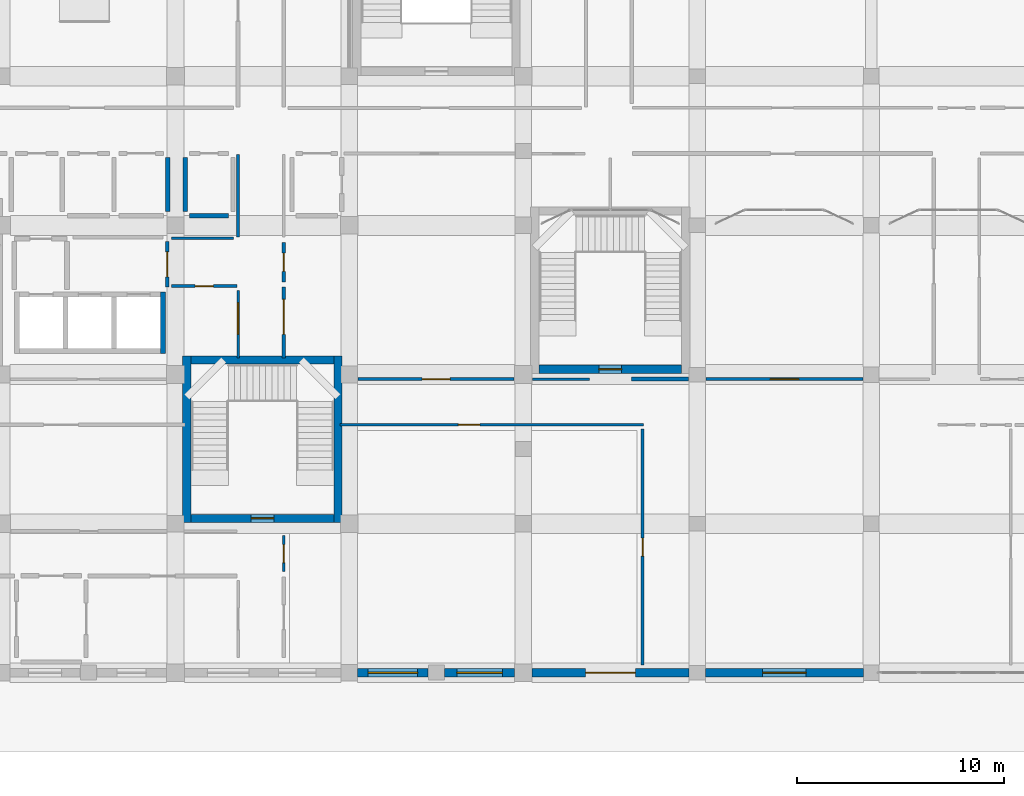
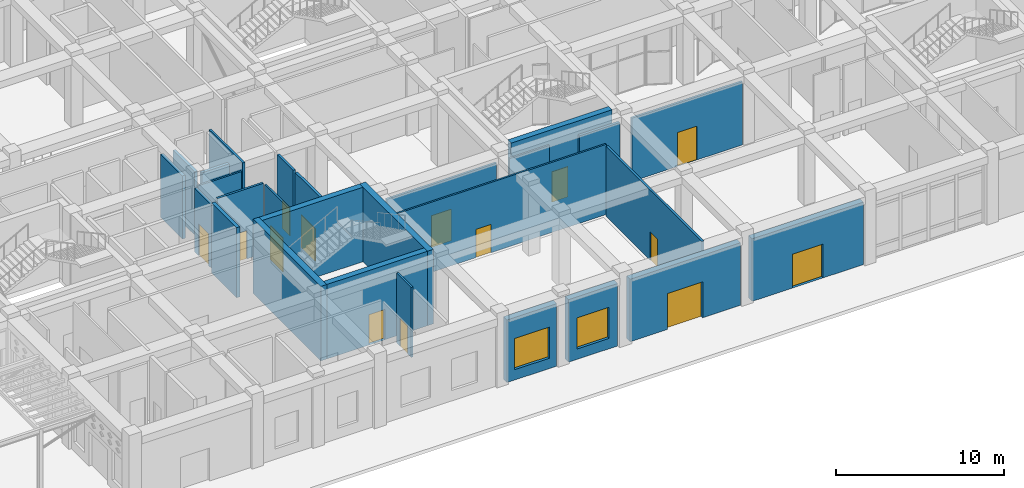
# One storey, part 62 of 84: 27 walls, 14 doors, 2 windows, 16 openings.
"""IFC4 building model written with IfcOpenShell, lengths in metres."""

from ifc_helpers import new_model, si_unit, derived_unit, direction, frame, frame_2d, origin, place, context, subcontext, project, spatial, rectangle, extrude, material, layer, layer_set, type_object, element, fill, save


model = new_model("IFC4")

# Units and contexts
model_context = context("Model", 3, precision=1e-05, world=origin(), true_north=direction((0.0, 1.0)))
body_context = subcontext(model_context, "Body", "Model", "MODEL_VIEW")
ifc_project = project(units=[si_unit("LENGTHUNIT", "METRE"), si_unit("AREAUNIT", "SQUARE_METRE"), si_unit("VOLUMEUNIT", "CUBIC_METRE"), si_unit("PLANEANGLEUNIT", "RADIAN"), si_unit("MASSUNIT", "GRAM", prefix="KILO"), derived_unit("THERMALTRANSMITTANCEUNIT", [(si_unit("POWERUNIT", "WATT"), 1), (si_unit("LENGTHUNIT", "METRE"), -2), (si_unit("THERMODYNAMICTEMPERATUREUNIT", "KELVIN"), -1)])], contexts=[model_context])

# Site, building, storey
site_placement = place(None, origin())
site = spatial("IfcSite", under=ifc_project, at=site_placement, CompositionType="ELEMENT")
building_placement = place(site_placement, origin())
building = spatial("IfcBuilding", under=site, at=building_placement, Name="Veybourne Emporium", CompositionType="ELEMENT")
storey_placement = place(building_placement, origin())
storey = spatial("IfcBuildingStorey", under=building, at=storey_placement, Name="L00", CompositionType="ELEMENT", Elevation=0.0)

# Wall, opening, window
ifc_material_1 = material(Name="Honed Black Granite Plinth", Category="masonry")
ifc_layer_1 = layer(ifc_material_1, 0.419921875)
ifc_layer_set_1 = layer_set([ifc_layer_1], Name="Honed Black Granite Plinth")
wall_type_1 = type_object("IfcWallType", Name="ExtWall_EW-02", PredefinedType="SOLIDWALL", material=ifc_layer_set_1)
wall_1_placement = place(storey_placement, frame((49.97509765625, 0.0, 0.0), z_axis=(0.0, 0.0, 1.0), x_axis=(-1.0, 0.0, 0.0)))
wall_1 = element("IfcWall", 1, at=wall_1_placement, inside=storey, type_object=wall_type_1, Name="L00 Portland stone external wall 026A", PredefinedType="SOLIDWALL", context=body_context, shape_type="SweptSolid", body=[
    extrude(rectangle(XDim=3.375, YDim=0.419921875, at=frame_2d((1.6875, 0.0))), origin(), (0.0, 0.0, 1.0), 4.530029296875),
])
opening_1_placement = place(wall_1_placement, frame((0.58740234375, 0.0, 0.75)))
opening_1 = element("IfcOpeningElement", 2, at=opening_1_placement, cuts=wall_1, Name="Opening W-22", PredefinedType="OPENING", context=body_context, shape_type="SweptSolid", body=[
    extrude(rectangle(XDim=2.199951171875, YDim=2.260009765625, at=frame_2d((1.10009765625, 1.1298828125))), frame((0.0, 0.22998046875, 0.0), z_axis=(0.0, -1.0, 0.0), x_axis=(1.0, 0.0, 0.0)), (0.0, 0.0, 1.0), 0.4599609375),
])
ifc_material_2 = material(Name="Low-E Triple Glazing", Category="glass")
window_type_1 = type_object("IfcWindowType", Name="Win_W-22", PartitioningType="TRIPLE_PANEL_VERTICAL", PredefinedType="WINDOW", material=ifc_material_2)
window_1_placement = place(opening_1_placement, origin())
window_1 = element("IfcWindow", 3, at=window_1_placement, inside=storey, type_object=window_type_1, Name="L00 tripartite bronze casement window W-22 (26A)", OverallHeight=2.260009765625, OverallWidth=2.199951171875, PartitioningType="TRIPLE_PANEL_VERTICAL", PredefinedType="WINDOW", context=body_context, shape_type="SweptSolid", body=[
    extrude(rectangle(XDim=2.199951171875, YDim=2.260009765625, at=frame_2d((1.10009765625, 1.1298828125))), frame((0.0, 0.030029296875, 0.0), z_axis=(0.0, -1.0, 0.0), x_axis=(1.0, 0.0, 0.0)), (0.0, 0.0, 1.0), 0.06005859375),
])
fill(opening_1, window_1)

wall_2_placement = place(storey_placement, frame((45.800048828125, 0.0, 0.0), z_axis=(0.0, 0.0, 1.0), x_axis=(-1.0, 0.0, 0.0)))
wall_2 = element("IfcWall", 4, at=wall_2_placement, inside=storey, type_object=wall_type_1, Name="L00 Portland stone external wall 026B", PredefinedType="SOLIDWALL", context=body_context, shape_type="SweptSolid", body=[
    extrude(rectangle(XDim=3.400146484375, YDim=0.419921875, at=frame_2d((1.7001953125, 0.0))), origin(), (0.0, 0.0, 1.0), 4.530029296875),
])
opening_2_placement = place(wall_2_placement, frame((0.5, 0.0, 0.75)))
opening_2 = element("IfcOpeningElement", 5, at=opening_2_placement, cuts=wall_2, Name="Opening W-23", PredefinedType="OPENING", context=body_context, shape_type="SweptSolid", body=[
    extrude(rectangle(XDim=2.39990234375, YDim=2.260009765625, at=frame_2d((1.199951171875, 1.1298828125))), frame((0.0, 0.22998046875, 0.0), z_axis=(0.0, -1.0, 0.0), x_axis=(1.0, 0.0, 0.0)), (0.0, 0.0, 1.0), 0.4599609375),
])
window_type_2 = type_object("IfcWindowType", Name="Win_W-23", PartitioningType="TRIPLE_PANEL_VERTICAL", PredefinedType="WINDOW", material=ifc_material_2)
window_2_placement = place(opening_2_placement, origin())
window_2 = element("IfcWindow", 6, at=window_2_placement, inside=storey, type_object=window_type_2, Name="L00 tripartite bronze casement window W-23 (26B)", OverallHeight=2.260009765625, OverallWidth=2.39990234375, PartitioningType="TRIPLE_PANEL_VERTICAL", PredefinedType="WINDOW", context=body_context, shape_type="SweptSolid", body=[
    extrude(rectangle(XDim=2.39990234375, YDim=2.260009765625, at=frame_2d((1.199951171875, 1.1298828125))), frame((0.0, 0.030029296875, 0.0), z_axis=(0.0, -1.0, 0.0), x_axis=(1.0, 0.0, 0.0)), (0.0, 0.0, 1.0), 0.06005859375),
])
fill(opening_2, window_2)

# Wall, opening, door
wall_3_placement = place(storey_placement, frame((58.39990234375, 0.0, 0.0), z_axis=(0.0, 0.0, 1.0), x_axis=(-1.0, 0.0, 0.0)))
wall_3 = element("IfcWall", 7, at=wall_3_placement, inside=storey, type_object=wall_type_1, Name="Ground street granite plinth entrance wall 028", PredefinedType="SOLIDWALL", context=body_context, shape_type="SweptSolid", body=[
    extrude(rectangle(XDim=7.574951171875, YDim=0.419921875, at=frame_2d((3.78759765625, 0.0))), origin(), (0.0, 0.0, 1.0), 4.530029296875),
])
opening_3_placement = place(wall_3_placement, frame((2.58740234375, 0.0, 0.0)))
opening_3 = element("IfcOpeningElement", 8, at=opening_3_placement, cuts=wall_3, Name="Opening EX-03", PredefinedType="OPENING", context=body_context, shape_type="SweptSolid", body=[
    extrude(rectangle(XDim=2.39990234375, YDim=2.60009765625, at=frame_2d((1.199951171875, 1.300048828125))), frame((0.0, 0.22998046875, 0.0), z_axis=(0.0, -1.0, 0.0), x_axis=(1.0, 0.0, 0.0)), (0.0, 0.0, 1.0), 0.4599609375),
])
ifc_material_3 = material(Name="Patinated Architectural Bronze", Category="bronze")
door_type_1 = type_object("IfcDoorType", Name="ExitDoor_EX-03", OperationType="DOUBLE_DOOR_SINGLE_SWING", PredefinedType="DOOR", material=ifc_material_3)
door_1_placement = place(opening_3_placement, origin())
door_1 = element("IfcDoor", 9, at=door_1_placement, inside=storey, type_object=door_type_1, Name="Pedestrian final exit door EX-03 #14", OperationType="DOUBLE_DOOR_SINGLE_SWING", OverallHeight=2.60009765625, OverallWidth=2.39990234375, PredefinedType="DOOR", context=body_context, shape_type="SweptSolid", body=[
    extrude(rectangle(XDim=2.39990234375, YDim=2.60009765625, at=frame_2d((1.199951171875, 1.300048828125))), frame((0.0, 0.02490234375, 0.0), z_axis=(0.0, -1.0, 0.0), x_axis=(1.0, 0.0, 0.0)), (0.0, 0.0, 1.0), 0.050048828125),
])
fill(opening_3, door_1)

wall_4_placement = place(storey_placement, frame((66.824951171875, 0.0, 0.0), z_axis=(0.0, 0.0, 1.0), x_axis=(-1.0, 0.0, 0.0)))
wall_4 = element("IfcWall", 10, at=wall_4_placement, inside=storey, type_object=wall_type_1, Name="Ground street granite plinth entrance wall 031", PredefinedType="SOLIDWALL", context=body_context, shape_type="SweptSolid", body=[
    extrude(rectangle(XDim=7.625, YDim=0.419921875, at=frame_2d((3.8125, 0.0))), origin(), (0.0, 0.0, 1.0), 4.530029296875),
])
opening_4_placement = place(wall_4_placement, frame((2.762451171875, 0.0, 0.0)))
opening_4 = element("IfcOpeningElement", 11, at=opening_4_placement, cuts=wall_4, Name="Opening EX-05", PredefinedType="OPENING", context=body_context, shape_type="SweptSolid", body=[
    extrude(rectangle(XDim=2.10009765625, YDim=2.449951171875, at=frame_2d((1.050048828125, 1.22509765625))), frame((0.0, 0.22998046875, 0.0), z_axis=(0.0, -1.0, 0.0), x_axis=(1.0, 0.0, 0.0)), (0.0, 0.0, 1.0), 0.4599609375),
])
door_type_2 = type_object("IfcDoorType", Name="ExitDoor_EX-05", OperationType="DOUBLE_DOOR_SINGLE_SWING", PredefinedType="DOOR", material=ifc_material_3)
door_2_placement = place(opening_4_placement, origin())
door_2 = element("IfcDoor", 12, at=door_2_placement, inside=storey, type_object=door_type_2, Name="Pedestrian final exit door EX-05 #16", OperationType="DOUBLE_DOOR_SINGLE_SWING", OverallHeight=2.449951171875, OverallWidth=2.10009765625, PredefinedType="DOOR", context=body_context, shape_type="SweptSolid", body=[
    extrude(rectangle(XDim=2.10009765625, YDim=2.449951171875, at=frame_2d((1.050048828125, 1.22509765625))), frame((0.0, 0.02490234375, 0.0), z_axis=(0.0, -1.0, 0.0), x_axis=(1.0, 0.0, 0.0)), (0.0, 0.0, 1.0), 0.050048828125),
])
fill(opening_4, door_2)

ifc_material_4 = material(Name="Concrete C40/50", Category="concrete")
ifc_layer_2 = layer(ifc_material_4, 0.39990234375)
ifc_layer_set_2 = layer_set([ifc_layer_2], Name="Concrete C40/50")
wall_type_2 = type_object("IfcWallType", Name="IntWall_CW-01", PredefinedType="SHEAR", material=ifc_layer_set_2)
wall_5_placement = place(storey_placement, frame((58.050048828125, 14.64990234375, 0.0), z_axis=(0.0, 0.0, 1.0), x_axis=(-1.0, 0.0, 0.0)))
wall_5 = element("IfcWall", 13, at=wall_5_placement, inside=storey, type_object=wall_type_2, Name="Core stair ST-09 south shear wall (L00)", PredefinedType="SHEAR", context=body_context, shape_type="SweptSolid", body=[
    extrude(rectangle(XDim=6.900146484375, YDim=0.39990234375, at=frame_2d((3.4501953125, 0.0))), origin(), (0.0, 0.0, 1.0), 5.39990234375),
])
opening_5_placement = place(wall_5_placement, frame((2.89990234375, 0.0, 0.0)))
opening_5 = element("IfcOpeningElement", 14, at=opening_5_placement, cuts=wall_5, Name="Opening FD-01", PredefinedType="OPENING", context=body_context, shape_type="SweptSolid", body=[
    extrude(rectangle(XDim=1.10009765625, YDim=2.199951171875, at=frame_2d((0.550048828125, 1.10009765625))), frame((0.0, 0.219970703125, 0.0), z_axis=(0.0, -1.0, 0.0), x_axis=(1.0, 0.0, 0.0)), (0.0, 0.0, 1.0), 0.43994140625),
])
door_type_3 = type_object("IfcDoorType", Name="FireDoor_FD-01", OperationType="NOTDEFINED", PredefinedType="DOOR", material=ifc_material_3)
door_3_placement = place(opening_5_placement, origin())
door_3 = element("IfcDoor", 15, at=door_3_placement, inside=storey, type_object=door_type_3, Name="Stair ST-09 fire door (L00)", OperationType="SINGLE_SWING_RIGHT", OverallHeight=2.199951171875, OverallWidth=1.10009765625, PredefinedType="DOOR", context=body_context, shape_type="SweptSolid", body=[
    extrude(rectangle(XDim=1.10009765625, YDim=2.199951171875, at=frame_2d((0.550048828125, 1.10009765625))), frame((0.0, 0.02490234375, 0.0), z_axis=(0.0, -1.0, 0.0), x_axis=(1.0, 0.0, 0.0)), (0.0, 0.0, 1.0), 0.050048828125),
])
fill(opening_5, door_3)

wall_6_placement = place(storey_placement, frame((41.25, 7.449951171875, 0.0), z_axis=(0.0, 0.0, 1.0), x_axis=(-1.0, 0.0, 0.0)))
wall_6 = element("IfcWall", 16, at=wall_6_placement, inside=storey, type_object=wall_type_2, Name="Core stair ST-12 south shear wall (L00)", PredefinedType="SHEAR", context=body_context, shape_type="SweptSolid", body=[
    extrude(rectangle(XDim=6.89990234375, YDim=0.39990234375, at=frame_2d((3.449951171875, 0.0))), origin(), (0.0, 0.0, 1.0), 5.39990234375),
])
opening_6_placement = place(wall_6_placement, frame((2.89990234375, 0.0, 0.0)))
opening_6 = element("IfcOpeningElement", 17, at=opening_6_placement, cuts=wall_6, Name="Opening FD-01", PredefinedType="OPENING", context=body_context, shape_type="SweptSolid", body=[
    extrude(rectangle(XDim=1.10009765625, YDim=2.199951171875, at=frame_2d((0.550048828125, 1.10009765625))), frame((0.0, 0.219970703125, 0.0), z_axis=(0.0, -1.0, 0.0), x_axis=(1.0, 0.0, 0.0)), (0.0, 0.0, 1.0), 0.43994140625),
])
door_4_placement = place(opening_6_placement, origin())
door_4 = element("IfcDoor", 18, at=door_4_placement, inside=storey, type_object=door_type_3, Name="Stair ST-12 fire door (L00)", OperationType="SINGLE_SWING_LEFT", OverallHeight=2.199951171875, OverallWidth=1.10009765625, PredefinedType="DOOR", context=body_context, shape_type="SweptSolid", body=[
    extrude(rectangle(XDim=1.10009765625, YDim=2.199951171875, at=frame_2d((0.550048828125, 1.10009765625))), frame((0.0, 0.02490234375, 0.0), z_axis=(0.0, -1.0, 0.0), x_axis=(1.0, 0.0, 0.0)), (0.0, 0.0, 1.0), 0.050048828125),
])
fill(opening_6, door_4)

# Walls
wall_7_placement = place(storey_placement, frame((34.35009765625, 15.10009765625, 0.0), z_axis=(0.0, 0.0, 1.0), x_axis=(1.0, 0.0, 0.0)))
element("IfcWall", 19, at=wall_7_placement, inside=storey, type_object=wall_type_2, Name="Core stair ST-12 north shear wall (L00)", PredefinedType="SHEAR", context=body_context, shape_type="SweptSolid", body=[
    extrude(rectangle(XDim=6.89990234375, YDim=0.39990234375, at=frame_2d((3.449951171875, 0.0))), origin(), (0.0, 0.0, 1.0), 5.39990234375),
])
for number, where, z_axis, x_axis, name in (
    (20, (34.14990234375, 15.300048828125, 0.0), (0.0, 0.0, 1.0), (0.0, -1.0, 0.0), "Core stair ST-12 west shear wall (L00)"),
    (21, (41.449951171875, 7.25, 0.0), (0.0, 0.0, 1.0), (0.0, 1.0, 0.0), "Core stair ST-12 east shear wall (L00)"),
):
    element("IfcWall", number, at=place(storey_placement, frame(where, z_axis=z_axis, x_axis=x_axis)), inside=storey, type_object=wall_type_2, Name=name, PredefinedType="SHEAR", context=body_context, shape_type="SweptSolid", body=[
        extrude(rectangle(XDim=8.050048828125, YDim=0.39990234375, at=frame_2d((4.02490234375, 0.0))), origin(), (0.0, 0.0, 1.0), 5.39990234375),
    ])
ifc_layer_3 = layer(ifc_material_4, 0.239990234375)
ifc_layer_set_3 = layer_set([ifc_layer_3], Name="Concrete C40/50")
wall_type_3 = type_object("IfcWallType", Name="IntWall_CW-04", PredefinedType="SHEAR", material=ifc_layer_set_3)
wall_8_placement = place(storey_placement, frame((33.0, 15.409912109375, 0.0), z_axis=(0.0, 0.0, 1.0), x_axis=(0.0, 1.0, 0.0)))
element("IfcWall", 22, at=wall_8_placement, inside=storey, type_object=wall_type_3, Name="Lift core C1 east shaft wall (L00)", PredefinedType="SHEAR", context=body_context, shape_type="SweptSolid", body=[
    extrude(rectangle(XDim=2.97998046875, YDim=0.239990234375, at=frame_2d((1.489990234375, 0.0))), origin(), (0.0, 0.0, 1.0), 5.080078125),
])
ifc_material_5 = material(Name="Gypsum Acoustic Board", Category="gypsum")
ifc_layer_4 = layer(ifc_material_5, 0.179931640625)
ifc_layer_set_4 = layer_set([ifc_layer_4], Name="Gypsum Acoustic Board")
wall_type_4 = type_object("IfcWallType", Name="IntWall_IW-01", PredefinedType="PARTITIONING", material=ifc_layer_set_4)
wall_9_placement = place(storey_placement, frame((55.615234375, 14.179931640625, 0.0), z_axis=(0.0, 0.0, 1.0), x_axis=(1.0, 0.0, 0.0)))
element("IfcWall", 23, at=wall_9_placement, inside=storey, type_object=wall_type_4, Name="L00 interior partition IW-01 #029", PredefinedType="PARTITIONING", context=body_context, shape_type="SweptSolid", body=[
    extrude(rectangle(XDim=2.7646484375, YDim=0.179931640625, at=frame_2d((1.38232421875, 0.0))), origin(), (0.0, 0.0, 1.0), 4.580078125),
])

# Wall, opening, door
wall_10_placement = place(storey_placement, frame((38.830078125, 15.18994140625, 0.0), z_axis=(0.0, 0.0, 1.0), x_axis=(0.0, 1.0, 0.0)))
wall_10 = element("IfcWall", 24, at=wall_10_placement, inside=storey, type_object=wall_type_4, Name="L00 interior partition IW-01 #134", PredefinedType="PARTITIONING", context=body_context, shape_type="SweptSolid", body=[
    extrude(rectangle(XDim=3.43017578125, YDim=0.179931640625, at=frame_2d((1.715087890625, 0.0))), origin(), (0.0, 0.0, 1.0), 5.080078125),
])
opening_7_placement = place(wall_10_placement, frame((1.155029296875, 0.0, 0.0)))
opening_7 = element("IfcOpeningElement", 25, at=opening_7_placement, cuts=wall_10, Name="Opening D-30", PredefinedType="OPENING", context=body_context, shape_type="SweptSolid", body=[
    extrude(rectangle(XDim=1.679931640625, YDim=2.3701171875, at=frame_2d((0.83984375, 1.18505859375))), frame((0.0, 0.10986328125, 0.0), z_axis=(0.0, -1.0, 0.0), x_axis=(1.0, 0.0, 0.0)), (0.0, 0.0, 1.0), 0.219970703125),
])
ifc_material_6 = material(Name="European Oak Veneer and Bronze", Category="wood")
door_type_4 = type_object("IfcDoorType", Name="IntDoor_D-30", OperationType="DOUBLE_DOOR_SINGLE_SWING", PredefinedType="DOOR", material=ifc_material_6)
door_5_placement = place(opening_7_placement, frame((1.679931640625, 0.0, 0.0), z_axis=(0.0, 0.0, 1.0), x_axis=(-1.0, 0.0, 0.0)))
door_5 = element("IfcDoor", 26, at=door_5_placement, inside=storey, type_object=door_type_4, Name="L00 interior door D-30 (PART-L00-134)", OperationType="DOUBLE_DOOR_SINGLE_SWING", OverallHeight=2.3701171875, OverallWidth=1.679931640625, PredefinedType="DOOR", context=body_context, shape_type="SweptSolid", body=[
    extrude(rectangle(XDim=1.679931640625, YDim=2.3701171875, at=frame_2d((0.83984375, 1.18505859375))), frame((0.0, 0.02490234375, 0.0), z_axis=(0.0, -1.0, 0.0), x_axis=(1.0, 0.0, 0.0)), (0.0, 0.0, 1.0), 0.050048828125),
])
fill(opening_7, door_5)

wall_11_placement = place(storey_placement, frame((33.199951171875, 18.6201171875, 0.0), z_axis=(0.0, 0.0, 1.0), x_axis=(0.0, 1.0, 0.0)))
wall_11 = element("IfcWall", 27, at=wall_11_placement, inside=storey, type_object=wall_type_4, Name="L00 interior partition IW-01 #161", PredefinedType="PARTITIONING", context=body_context, shape_type="SweptSolid", body=[
    extrude(rectangle(XDim=2.199951171875, YDim=0.179931640625, at=frame_2d((1.10009765625, 0.0))), origin(), (0.0, 0.0, 1.0), 4.580078125),
])
opening_8_placement = place(wall_11_placement, frame((0.5, 0.0, 0.0)))
opening_8 = element("IfcOpeningElement", 28, at=opening_8_placement, cuts=wall_11, Name="Opening D-21", PredefinedType="OPENING", context=body_context, shape_type="SweptSolid", body=[
    extrude(rectangle(XDim=1.199951171875, YDim=2.2900390625, at=frame_2d((0.60009765625, 1.14501953125))), frame((0.0, 0.10986328125, 0.0), z_axis=(0.0, -1.0, 0.0), x_axis=(1.0, 0.0, 0.0)), (0.0, 0.0, 1.0), 0.219970703125),
])
door_type_5 = type_object("IfcDoorType", Name="IntDoor_D-21", OperationType="NOTDEFINED", PredefinedType="DOOR", material=ifc_material_6)
door_6_placement = place(opening_8_placement, origin())
door_6 = element("IfcDoor", 29, at=door_6_placement, inside=storey, type_object=door_type_5, Name="L00 interior door D-21 (PART-L00-161)", OperationType="SINGLE_SWING_LEFT", OverallHeight=2.2900390625, OverallWidth=1.199951171875, PredefinedType="DOOR", context=body_context, shape_type="SweptSolid", body=[
    extrude(rectangle(XDim=1.199951171875, YDim=2.2900390625, at=frame_2d((0.60009765625, 1.14501953125))), frame((0.0, 0.02490234375, 0.0), z_axis=(0.0, -1.0, 0.0), x_axis=(1.0, 0.0, 0.0)), (0.0, 0.0, 1.0), 0.050048828125),
])
fill(opening_8, door_6)

ifc_layer_5 = layer(ifc_material_5, 0.14990234375)
ifc_layer_set_5 = layer_set([ifc_layer_5], Name="Gypsum Acoustic Board")
wall_type_5 = type_object("IfcWallType", Name="IntWall_IW-02", PredefinedType="PARTITIONING", material=ifc_layer_set_5)
wall_12_placement = place(storey_placement, frame((59.219970703125, 14.179931640625, 0.0), z_axis=(0.0, 0.0, 1.0), x_axis=(1.0, 0.0, 0.0)))
wall_12 = element("IfcWall", 30, at=wall_12_placement, inside=storey, type_object=wall_type_5, Name="L00 interior partition IW-02 #030", PredefinedType="PARTITIONING", context=body_context, shape_type="SweptSolid", body=[
    extrude(rectangle(XDim=7.5849609375, YDim=0.14990234375, at=frame_2d((3.79248046875, 0.0))), origin(), (0.0, 0.0, 1.0), 4.580078125),
])
opening_9_placement = place(wall_12_placement, frame((3.112548828125, 0.0, 0.0)))
opening_9 = element("IfcOpeningElement", 31, at=opening_9_placement, cuts=wall_12, Name="Opening D-34", PredefinedType="OPENING", context=body_context, shape_type="SweptSolid", body=[
    extrude(rectangle(XDim=1.360107421875, YDim=2.449951171875, at=frame_2d((0.68017578125, 1.22509765625))), frame((0.0, 0.094970703125, 0.0), z_axis=(0.0, -1.0, 0.0), x_axis=(1.0, 0.0, 0.0)), (0.0, 0.0, 1.0), 0.18994140625),
])
door_type_6 = type_object("IfcDoorType", Name="IntDoor_D-34", OperationType="NOTDEFINED", PredefinedType="DOOR", material=ifc_material_6)
door_7_placement = place(opening_9_placement, origin())
door_7 = element("IfcDoor", 32, at=door_7_placement, inside=storey, type_object=door_type_6, Name="L00 interior door D-34 (PART-L00-030)", OperationType="SINGLE_SWING_RIGHT", OverallHeight=2.449951171875, OverallWidth=1.360107421875, PredefinedType="DOOR", context=body_context, shape_type="SweptSolid", body=[
    extrude(rectangle(XDim=1.360107421875, YDim=2.449951171875, at=frame_2d((0.68017578125, 1.22509765625))), frame((0.0, 0.02490234375, 0.0), z_axis=(0.0, -1.0, 0.0), x_axis=(1.0, 0.0, 0.0)), (0.0, 0.0, 1.0), 0.050048828125),
])
fill(opening_9, door_7)

wall_13_placement = place(storey_placement, frame((42.419921875, 14.179931640625, 0.0), z_axis=(0.0, 0.0, 1.0), x_axis=(1.0, 0.0, 0.0)))
wall_13 = element("IfcWall", 33, at=wall_13_placement, inside=storey, type_object=wall_type_5, Name="L00 interior partition IW-02 #054", PredefinedType="PARTITIONING", context=body_context, shape_type="SweptSolid", body=[
    extrude(rectangle(XDim=7.53515625, YDim=0.14990234375, at=frame_2d((3.767578125, 0.0))), origin(), (0.0, 0.0, 1.0), 4.580078125),
])
opening_10_placement = place(wall_13_placement, frame((3.08740234375, 0.0, 0.0)))
opening_10 = element("IfcOpeningElement", 34, at=opening_10_placement, cuts=wall_13, Name="Opening D-22", PredefinedType="OPENING", context=body_context, shape_type="SweptSolid", body=[
    extrude(rectangle(XDim=1.360107421875, YDim=2.2900390625, at=frame_2d((0.68017578125, 1.14501953125))), frame((0.0, 0.094970703125, 0.0), z_axis=(0.0, -1.0, 0.0), x_axis=(1.0, 0.0, 0.0)), (0.0, 0.0, 1.0), 0.18994140625),
])
door_type_7 = type_object("IfcDoorType", Name="IntDoor_D-22", OperationType="NOTDEFINED", PredefinedType="DOOR", material=ifc_material_6)
door_8_placement = place(opening_10_placement, origin())
door_8 = element("IfcDoor", 35, at=door_8_placement, inside=storey, type_object=door_type_7, Name="L00 interior door D-22 (PART-L00-054)", OperationType="SINGLE_SWING_LEFT", OverallHeight=2.2900390625, OverallWidth=1.360107421875, PredefinedType="DOOR", context=body_context, shape_type="SweptSolid", body=[
    extrude(rectangle(XDim=1.360107421875, YDim=2.2900390625, at=frame_2d((0.68017578125, 1.14501953125))), frame((0.0, 0.02490234375, 0.0), z_axis=(0.0, -1.0, 0.0), x_axis=(1.0, 0.0, 0.0)), (0.0, 0.0, 1.0), 0.050048828125),
])
fill(opening_10, door_8)

wall_14_placement = place(storey_placement, frame((56.159912109375, 0.3701171875, 0.0), z_axis=(0.0, 0.0, 1.0), x_axis=(0.0, 1.0, 0.0)))
wall_14 = element("IfcWall", 36, at=wall_14_placement, inside=storey, type_object=wall_type_5, Name="L00 interior partition IW-02 #069", PredefinedType="PARTITIONING", context=body_context, shape_type="SweptSolid", body=[
    extrude(rectangle(XDim=11.389892578125, YDim=0.14990234375, at=frame_2d((5.69482421875, 0.0))), origin(), (0.0, 0.0, 1.0), 5.080078125),
])
opening_11_placement = place(wall_14_placement, frame((5.2548828125, 0.0, 0.0)))
opening_11 = element("IfcOpeningElement", 37, at=opening_11_placement, cuts=wall_14, Name="Opening D-01", PredefinedType="OPENING", context=body_context, shape_type="SweptSolid", body=[
    extrude(rectangle(XDim=0.8798828125, YDim=2.050048828125, at=frame_2d((0.43994140625, 1.02490234375))), frame((0.0, 0.094970703125, 0.0), z_axis=(0.0, -1.0, 0.0), x_axis=(1.0, 0.0, 0.0)), (0.0, 0.0, 1.0), 0.18994140625),
])
door_type_8 = type_object("IfcDoorType", Name="IntDoor_D-01", OperationType="NOTDEFINED", PredefinedType="DOOR", material=ifc_material_6)
door_9_placement = place(opening_11_placement, origin())
door_9 = element("IfcDoor", 38, at=door_9_placement, inside=storey, type_object=door_type_8, Name="L00 interior door D-01 (PART-L00-069)", OperationType="SINGLE_SWING_LEFT", OverallHeight=2.050048828125, OverallWidth=0.8798828125, PredefinedType="DOOR", context=body_context, shape_type="SweptSolid", body=[
    extrude(rectangle(XDim=0.8798828125, YDim=2.050048828125, at=frame_2d((0.43994140625, 1.02490234375))), frame((0.0, 0.02490234375, 0.0), z_axis=(0.0, -1.0, 0.0), x_axis=(1.0, 0.0, 0.0)), (0.0, 0.0, 1.0), 0.050048828125),
])
fill(opening_11, door_9)

# Wall
wall_15_placement = place(storey_placement, frame((36.6201171875, 21.030029296875, 0.0), z_axis=(0.0, 0.0, 1.0), x_axis=(0.0, 1.0, 0.0)))
element("IfcWall", 39, at=wall_15_placement, inside=storey, type_object=wall_type_5, Name="L00 interior partition IW-02 #123", PredefinedType="PARTITIONING", context=body_context, shape_type="SweptSolid", body=[
    extrude(rectangle(XDim=3.989990234375, YDim=0.14990234375, at=frame_2d((1.9951171875, 0.0))), origin(), (0.0, 0.0, 1.0), 5.080078125),
])

# Wall, opening, door
wall_16_placement = place(storey_placement, frame((33.409912109375, 18.669921875, 0.0), z_axis=(0.0, 0.0, 1.0), x_axis=(1.0, 0.0, 0.0)))
wall_16 = element("IfcWall", 40, at=wall_16_placement, inside=storey, type_object=wall_type_5, Name="L00 interior partition IW-02 #141", PredefinedType="PARTITIONING", context=body_context, shape_type="SweptSolid", body=[
    extrude(rectangle(XDim=3.16015625, YDim=0.14990234375, at=frame_2d((1.580078125, 0.0))), origin(), (0.0, 0.0, 1.0), 5.080078125),
])
opening_12_placement = place(wall_16_placement, frame((1.139892578125, 0.0, 0.0)))
opening_12 = element("IfcOpeningElement", 41, at=opening_12_placement, cuts=wall_16, Name="Opening D-01", PredefinedType="OPENING", context=body_context, shape_type="SweptSolid", body=[
    extrude(rectangle(XDim=0.8798828125, YDim=2.050048828125, at=frame_2d((0.43994140625, 1.02490234375))), frame((0.0, 0.094970703125, 0.0), z_axis=(0.0, -1.0, 0.0), x_axis=(1.0, 0.0, 0.0)), (0.0, 0.0, 1.0), 0.18994140625),
])
door_10_placement = place(opening_12_placement, frame((0.8798828125, 0.0, 0.0), z_axis=(0.0, 0.0, 1.0), x_axis=(-1.0, 0.0, 0.0)))
door_10 = element("IfcDoor", 42, at=door_10_placement, inside=storey, type_object=door_type_8, Name="L00 interior door D-01 (PART-L00-141)", OperationType="SINGLE_SWING_RIGHT", OverallHeight=2.050048828125, OverallWidth=0.8798828125, PredefinedType="DOOR", context=body_context, shape_type="SweptSolid", body=[
    extrude(rectangle(XDim=0.8798828125, YDim=2.050048828125, at=frame_2d((0.43994140625, 1.02490234375))), frame((0.0, 0.02490234375, 0.0), z_axis=(0.0, -1.0, 0.0), x_axis=(1.0, 0.0, 0.0)), (0.0, 0.0, 1.0), 0.050048828125),
])
fill(opening_12, door_10)

wall_17_placement = place(storey_placement, frame((38.830078125, 18.8798828125, 0.0), z_axis=(0.0, 0.0, 1.0), x_axis=(0.0, 1.0, 0.0)))
wall_17 = element("IfcWall", 43, at=wall_17_placement, inside=storey, type_object=wall_type_5, Name="L00 interior partition IW-02 #177", PredefinedType="PARTITIONING", context=body_context, shape_type="SweptSolid", body=[
    extrude(rectangle(XDim=1.89013671875, YDim=0.14990234375, at=frame_2d((0.945068359375, 0.0))), origin(), (0.0, 0.0, 1.0), 5.080078125),
])
opening_13_placement = place(wall_17_placement, frame((0.5048828125, 0.0, 0.0)))
opening_13 = element("IfcOpeningElement", 44, at=opening_13_placement, cuts=wall_17, Name="Opening D-01", PredefinedType="OPENING", context=body_context, shape_type="SweptSolid", body=[
    extrude(rectangle(XDim=0.8798828125, YDim=2.050048828125, at=frame_2d((0.43994140625, 1.02490234375))), frame((0.0, 0.094970703125, 0.0), z_axis=(0.0, -1.0, 0.0), x_axis=(1.0, 0.0, 0.0)), (0.0, 0.0, 1.0), 0.18994140625),
])
door_11_placement = place(opening_13_placement, frame((0.8798828125, 0.0, 0.0), z_axis=(0.0, 0.0, 1.0), x_axis=(-1.0, 0.0, 0.0)))
door_11 = element("IfcDoor", 45, at=door_11_placement, inside=storey, type_object=door_type_8, Name="L00 interior door D-01 (PART-L00-177)", OperationType="SINGLE_SWING_RIGHT", OverallHeight=2.050048828125, OverallWidth=0.8798828125, PredefinedType="DOOR", context=body_context, shape_type="SweptSolid", body=[
    extrude(rectangle(XDim=0.8798828125, YDim=2.050048828125, at=frame_2d((0.43994140625, 1.02490234375))), frame((0.0, 0.02490234375, 0.0), z_axis=(0.0, -1.0, 0.0), x_axis=(1.0, 0.0, 0.0)), (0.0, 0.0, 1.0), 0.050048828125),
])
fill(opening_13, door_11)

ifc_layer_6 = layer(ifc_material_5, 0.1201171875)
ifc_layer_set_6 = layer_set([ifc_layer_6], Name="Gypsum Acoustic Board")
wall_type_6 = type_object("IfcWallType", Name="IntWall_IW-03", PredefinedType="PARTITIONING", material=ifc_layer_set_6)
wall_18_placement = place(storey_placement, frame((41.5400390625, 11.969970703125, 0.0), z_axis=(0.0, 0.0, 1.0), x_axis=(1.0, 0.0, 0.0)))
wall_18 = element("IfcWall", 46, at=wall_18_placement, inside=storey, type_object=wall_type_6, Name="L00 interior partition IW-03 #034", PredefinedType="PARTITIONING", context=body_context, shape_type="SweptSolid", body=[
    extrude(rectangle(XDim=14.669921875, YDim=0.1201171875, at=frame_2d((7.3349609375, 0.0))), origin(), (0.0, 0.0, 1.0), 5.080078125),
])
opening_14_placement = place(wall_18_placement, frame((5.724609375, 0.0, 0.0)))
opening_14 = element("IfcOpeningElement", 47, at=opening_14_placement, cuts=wall_18, Name="Opening D-02", PredefinedType="OPENING", context=body_context, shape_type="SweptSolid", body=[
    extrude(rectangle(XDim=1.0400390625, YDim=2.050048828125, at=frame_2d((0.52001953125, 1.02490234375))), frame((0.0, 0.080078125, 0.0), z_axis=(0.0, -1.0, 0.0), x_axis=(1.0, 0.0, 0.0)), (0.0, 0.0, 1.0), 0.16015625),
])
door_type_9 = type_object("IfcDoorType", Name="IntDoor_D-02", OperationType="NOTDEFINED", PredefinedType="DOOR", material=ifc_material_6)
door_12_placement = place(opening_14_placement, frame((1.0400390625, 0.0, 0.0), z_axis=(0.0, 0.0, 1.0), x_axis=(-1.0, 0.0, 0.0)))
door_12 = element("IfcDoor", 48, at=door_12_placement, inside=storey, type_object=door_type_9, Name="L00 interior door D-02 (PART-L00-034)", OperationType="SINGLE_SWING_RIGHT", OverallHeight=2.050048828125, OverallWidth=1.0400390625, PredefinedType="DOOR", context=body_context, shape_type="SweptSolid", body=[
    extrude(rectangle(XDim=1.0400390625, YDim=2.050048828125, at=frame_2d((0.52001953125, 1.02490234375))), frame((0.0, 0.02490234375, 0.0), z_axis=(0.0, -1.0, 0.0), x_axis=(1.0, 0.0, 0.0)), (0.0, 0.0, 1.0), 0.050048828125),
])
fill(opening_14, door_12)

# Wall
wall_19_placement = place(storey_placement, frame((50.844970703125, 14.179931640625, 0.0), z_axis=(0.0, 0.0, 1.0), x_axis=(1.0, 0.0, 0.0)))
element("IfcWall", 49, at=wall_19_placement, inside=storey, type_object=wall_type_6, Name="L00 interior partition IW-03 #055", PredefinedType="PARTITIONING", context=body_context, shape_type="SweptSolid", body=[
    extrude(rectangle(XDim=2.73974609375, YDim=0.1201171875, at=frame_2d((1.369873046875, 0.0))), origin(), (0.0, 0.0, 1.0), 4.580078125),
])

# Wall, opening, door
wall_20_placement = place(storey_placement, frame((36.6201171875, 15.18994140625, 0.0), z_axis=(0.0, 0.0, 1.0), x_axis=(0.0, 1.0, 0.0)))
wall_20 = element("IfcWall", 50, at=wall_20_placement, inside=storey, type_object=wall_type_6, Name="L00 interior partition IW-03 #139", PredefinedType="PARTITIONING", context=body_context, shape_type="SweptSolid", body=[
    extrude(rectangle(XDim=3.27001953125, YDim=0.1201171875, at=frame_2d((1.635009765625, 0.0))), origin(), (0.0, 0.0, 1.0), 5.080078125),
])
opening_15_placement = place(wall_20_placement, frame((1.155029296875, 0.0, 0.0)))
opening_15 = element("IfcOpeningElement", 51, at=opening_15_placement, cuts=wall_20, Name="Opening D-35", PredefinedType="OPENING", context=body_context, shape_type="SweptSolid", body=[
    extrude(rectangle(XDim=1.52001953125, YDim=2.449951171875, at=frame_2d((0.760009765625, 1.22509765625))), frame((0.0, 0.080078125, 0.0), z_axis=(0.0, -1.0, 0.0), x_axis=(1.0, 0.0, 0.0)), (0.0, 0.0, 1.0), 0.16015625),
])
door_type_10 = type_object("IfcDoorType", Name="IntDoor_D-35", OperationType="NOTDEFINED", PredefinedType="DOOR", material=ifc_material_6)
door_13_placement = place(opening_15_placement, origin())
door_13 = element("IfcDoor", 52, at=door_13_placement, inside=storey, type_object=door_type_10, Name="L00 interior door D-35 (PART-L00-139)", OperationType="SINGLE_SWING_LEFT", OverallHeight=2.449951171875, OverallWidth=1.52001953125, PredefinedType="DOOR", context=body_context, shape_type="SweptSolid", body=[
    extrude(rectangle(XDim=1.52001953125, YDim=2.449951171875, at=frame_2d((0.760009765625, 1.22509765625))), frame((0.0, 0.02490234375, 0.0), z_axis=(0.0, -1.0, 0.0), x_axis=(1.0, 0.0, 0.0)), (0.0, 0.0, 1.0), 0.050048828125),
])
fill(opening_15, door_13)

# Wall
wall_21_placement = place(storey_placement, frame((33.409912109375, 20.97998046875, 0.0), z_axis=(0.0, 0.0, 1.0), x_axis=(1.0, 0.0, 0.0)))
element("IfcWall", 53, at=wall_21_placement, inside=storey, type_object=wall_type_6, Name="L00 interior partition IW-03 #142", PredefinedType="PARTITIONING", context=body_context, shape_type="SweptSolid", body=[
    extrude(rectangle(XDim=3.0, YDim=0.1201171875, at=frame_2d((1.5, 0.0))), origin(), (0.0, 0.0, 1.0), 4.580078125),
])

# Wall, opening, door
wall_22_placement = place(storey_placement, frame((38.830078125, 4.8798828125, 0.0), z_axis=(0.0, 0.0, 1.0), x_axis=(0.0, 1.0, 0.0)))
wall_22 = element("IfcWall", 54, at=wall_22_placement, inside=storey, type_object=wall_type_6, Name="L00 interior partition IW-03 #193", PredefinedType="PARTITIONING", context=body_context, shape_type="SweptSolid", body=[
    extrude(rectangle(XDim=1.740234375, YDim=0.1201171875, at=frame_2d((0.8701171875, 0.0))), origin(), (0.0, 0.0, 1.0), 5.080078125),
])
opening_16_placement = place(wall_22_placement, frame((0.429931640625, 0.0, 0.0)))
opening_16 = element("IfcOpeningElement", 55, at=opening_16_placement, cuts=wall_22, Name="Opening D-01", PredefinedType="OPENING", context=body_context, shape_type="SweptSolid", body=[
    extrude(rectangle(XDim=0.8798828125, YDim=2.050048828125, at=frame_2d((0.43994140625, 1.02490234375))), frame((0.0, 0.080078125, 0.0), z_axis=(0.0, -1.0, 0.0), x_axis=(1.0, 0.0, 0.0)), (0.0, 0.0, 1.0), 0.16015625),
])
door_14_placement = place(opening_16_placement, frame((0.8798828125, 0.0, 0.0), z_axis=(0.0, 0.0, 1.0), x_axis=(-1.0, 0.0, 0.0)))
door_14 = element("IfcDoor", 56, at=door_14_placement, inside=storey, type_object=door_type_8, Name="L00 interior door D-01 (PART-L00-193)", OperationType="SINGLE_SWING_RIGHT", OverallHeight=2.050048828125, OverallWidth=0.8798828125, PredefinedType="DOOR", context=body_context, shape_type="SweptSolid", body=[
    extrude(rectangle(XDim=0.8798828125, YDim=2.050048828125, at=frame_2d((0.43994140625, 1.02490234375))), frame((0.0, 0.02490234375, 0.0), z_axis=(0.0, -1.0, 0.0), x_axis=(1.0, 0.0, 0.0)), (0.0, 0.0, 1.0), 0.050048828125),
])
fill(opening_16, door_14)

# Walls
ifc_layer_7 = layer(ifc_material_5, 0.199951171875)
ifc_layer_set_7 = layer_set([ifc_layer_7], Name="Gypsum Acoustic Board")
wall_type_7 = type_object("IfcWallType", Name="IntWall_IW-04", PredefinedType="PLUMBINGWALL", material=ifc_layer_set_7)
for number, where, z_axis, x_axis, name in (
    (57, (33.22998046875, 22.280029296875, 0.0), (0.0, 0.0, 1.0), (0.0, 1.0, 0.0), "L00 interior partition IW-04 #223"),
    (58, (34.070068359375, 22.280029296875, 0.0), (0.0, 0.0, 1.0), (0.0, 1.0, 0.0), "L00 interior partition IW-04 #225"),
):
    element("IfcWall", number, at=place(storey_placement, frame(where, z_axis=z_axis, x_axis=x_axis)), inside=storey, type_object=wall_type_7, Name=name, PredefinedType="PLUMBINGWALL", context=body_context, shape_type="SweptSolid", body=[
        extrude(rectangle(XDim=2.590087890625, YDim=0.199951171875, at=frame_2d((1.294921875, 0.0))), origin(), (0.0, 0.0, 1.0), 4.580078125),
    ])
wall_23_placement = place(storey_placement, frame((34.280029296875, 22.070068359375, 0.0), z_axis=(0.0, 0.0, 1.0), x_axis=(1.0, 0.0, 0.0)))
element("IfcWall", 59, at=wall_23_placement, inside=storey, type_object=wall_type_7, Name="L00 interior partition IW-04 #229", PredefinedType="PLUMBINGWALL", context=body_context, shape_type="SweptSolid", body=[
    extrude(rectangle(XDim=1.889892578125, YDim=0.199951171875, at=frame_2d((0.94482421875, 0.0))), origin(), (0.0, 0.0, 1.0), 4.580078125),
])

save(model, "model.ifc")
